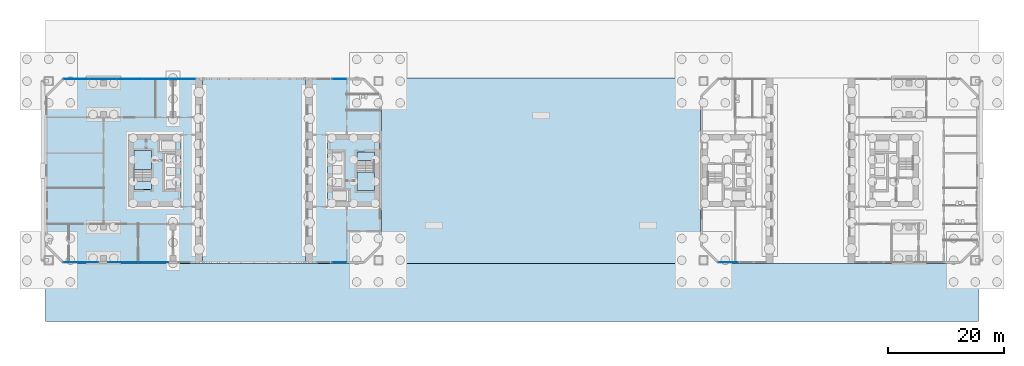
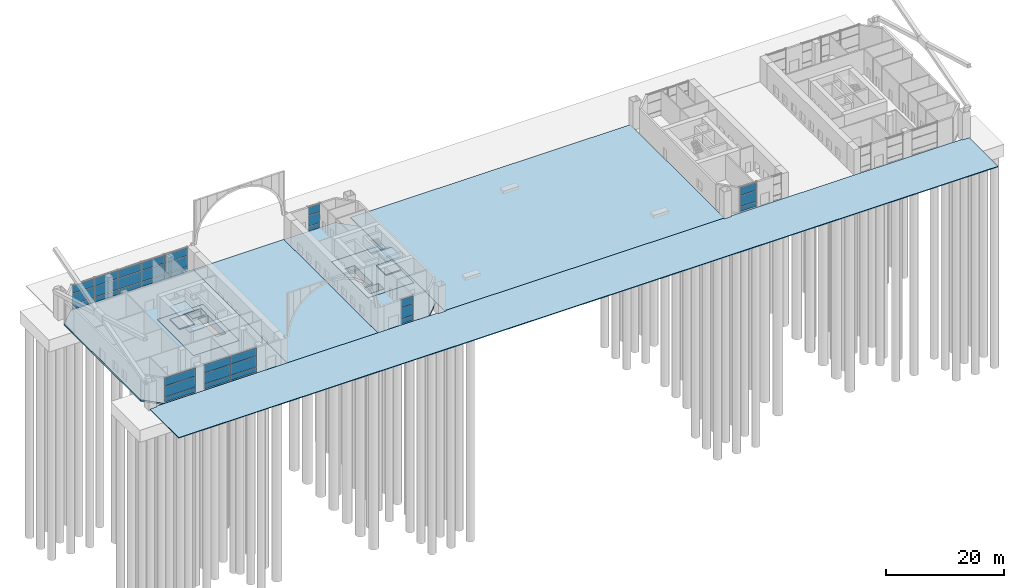
# One storey, part 10 of 26: 33 plates, 13 slabs, 8 elements without a shape of their own.
"""IFC4 building model written with IfcOpenShell, lengths in metres."""

from ifc_helpers import new_model, si_unit, direction, frame, origin, origin_2d, place, context, subcontext, project, spatial, polyline, rectangle, outline, extrude, material, layer, layer_set, type_object, element, aggregate, save


model = new_model("IFC4")

# Units and contexts
model_context = context("Model", 3, precision=1e-05, world=origin(), true_north=direction((0.0, 1.0)))
body_context = subcontext(model_context, "Body", "Model", "MODEL_VIEW")
ifc_project = project(units=[si_unit("LENGTHUNIT", "METRE"), si_unit("AREAUNIT", "SQUARE_METRE"), si_unit("VOLUMEUNIT", "CUBIC_METRE"), si_unit("PLANEANGLEUNIT", "RADIAN"), si_unit("MASSUNIT", "GRAM", prefix="KILO")], contexts=[model_context])

# Site, building, storey
site_placement = place(None, origin())
site = spatial("IfcSite", under=ifc_project, at=site_placement, CompositionType="ELEMENT")
building_placement = place(site_placement, origin())
building = spatial("IfcBuilding", under=site, at=building_placement, Name="Tuart Gate Housing", CompositionType="ELEMENT")
storey_placement = place(building_placement, origin())
storey = spatial("IfcBuildingStorey", under=building, at=storey_placement, Name="L00", CompositionType="ELEMENT", Elevation=0.0)

# Curtain wall, plates
ifc_material_1 = material(Name="Aluminium and clear glass", Category="aluminium")
curtain_wall_type = type_object("IfcCurtainWallType", Name="Ground storey glazing", PredefinedType="USERDEFINED", material=ifc_material_1)
curtain_wall_1_placement = place(storey_placement, origin())
curtain_wall_1 = element("IfcCurtainWall", 1, at=curtain_wall_1_placement, inside=storey, type_object=curtain_wall_type, Name="Ground storey glazing A-S L00", ObjectType="GROUND STOREY GLAZING", PredefinedType="USERDEFINED")
ifc_material_2 = material(Name="Clear glass", Category="glass")
ifc_layer_1 = layer(ifc_material_2, 0.028076171875)
ifc_layer_set_1 = layer_set([ifc_layer_1], Name="Glazed panel 28")
plate_type = type_object("IfcPlateType", Name="Glazed panel 28", PredefinedType="CURTAIN_PANEL", material=ifc_layer_set_1)
plate_1_placement = place(storey_placement, frame((24.13720703125, 54.179931640625, 0.1201171875), z_axis=(0.0, 0.0, 1.0), x_axis=(1.0, 0.0, 0.0)))
plate_1 = element("IfcPlate", 2, at=plate_1_placement, type_object=plate_type, Name="CW2 panel 1.1", PredefinedType="CURTAIN_PANEL", context=body_context, shape_type="SweptSolid", body=[
    extrude(rectangle(XDim=6.00537109375, YDim=0.028076171875, at=origin_2d()), origin(), (0.0, 0.0, 1.0), 0.919921875),
])
plate_2_placement = place(storey_placement, frame((24.13720703125, 54.179931640625, 1.16015625), z_axis=(0.0, 0.0, 1.0), x_axis=(1.0, 0.0, 0.0)))
plate_2 = element("IfcPlate", 3, at=plate_2_placement, type_object=plate_type, Name="CW2 panel 1.2", PredefinedType="CURTAIN_PANEL", context=body_context, shape_type="SweptSolid", body=[
    extrude(rectangle(XDim=6.00537109375, YDim=0.028076171875, at=origin_2d()), origin(), (0.0, 0.0, 1.0), 2.179931640625),
])
plate_3_placement = place(storey_placement, frame((24.13720703125, 54.179931640625, 3.4599609375), z_axis=(0.0, 0.0, 1.0), x_axis=(1.0, 0.0, 0.0)))
plate_3 = element("IfcPlate", 4, at=plate_3_placement, type_object=plate_type, Name="CW2 panel 1.3", PredefinedType="CURTAIN_PANEL", context=body_context, shape_type="SweptSolid", body=[
    extrude(rectangle(XDim=6.00537109375, YDim=0.028076171875, at=origin_2d()), origin(), (0.0, 0.0, 1.0), 1.6201171875),
])
aggregate(curtain_wall_1, [plate_1, plate_2, plate_3])

curtain_wall_2_placement = place(storey_placement, origin())
curtain_wall_2 = element("IfcCurtainWall", 5, at=curtain_wall_2_placement, inside=storey, type_object=curtain_wall_type, Name="Ground storey glazing A-S L00", ObjectType="GROUND STOREY GLAZING", PredefinedType="USERDEFINED")
plate_4_placement = place(storey_placement, frame((31.4150390625, 54.179931640625, 0.1201171875), z_axis=(0.0, 0.0, 1.0), x_axis=(1.0, 0.0, 0.0)))
plate_4 = element("IfcPlate", 6, at=plate_4_placement, type_object=plate_type, Name="CW2 panel 1.1", PredefinedType="CURTAIN_PANEL", context=body_context, shape_type="SweptSolid", body=[
    extrude(rectangle(XDim=5.110107421875, YDim=0.028076171875, at=origin_2d()), origin(), (0.0, 0.0, 1.0), 0.919921875),
])
plate_5_placement = place(storey_placement, frame((31.4150390625, 54.179931640625, 1.16015625), z_axis=(0.0, 0.0, 1.0), x_axis=(1.0, 0.0, 0.0)))
plate_5 = element("IfcPlate", 7, at=plate_5_placement, type_object=plate_type, Name="CW2 panel 1.2", PredefinedType="CURTAIN_PANEL", context=body_context, shape_type="SweptSolid", body=[
    extrude(rectangle(XDim=5.110107421875, YDim=0.028076171875, at=origin_2d()), origin(), (0.0, 0.0, 1.0), 2.179931640625),
])
plate_6_placement = place(storey_placement, frame((31.4150390625, 54.179931640625, 3.4599609375), z_axis=(0.0, 0.0, 1.0), x_axis=(1.0, 0.0, 0.0)))
plate_6 = element("IfcPlate", 8, at=plate_6_placement, type_object=plate_type, Name="CW2 panel 1.3", PredefinedType="CURTAIN_PANEL", context=body_context, shape_type="SweptSolid", body=[
    extrude(rectangle(XDim=5.110107421875, YDim=0.028076171875, at=origin_2d()), origin(), (0.0, 0.0, 1.0), 1.6201171875),
])
plate_7_placement = place(storey_placement, frame((36.5849609375, 54.179931640625, 0.1201171875), z_axis=(0.0, 0.0, 1.0), x_axis=(1.0, 0.0, 0.0)))
plate_7 = element("IfcPlate", 9, at=plate_7_placement, type_object=plate_type, Name="CW2 panel 2.1", PredefinedType="CURTAIN_PANEL", context=body_context, shape_type="SweptSolid", body=[
    extrude(rectangle(XDim=5.110107421875, YDim=0.028076171875, at=origin_2d()), origin(), (0.0, 0.0, 1.0), 0.919921875),
])
plate_8_placement = place(storey_placement, frame((36.5849609375, 54.179931640625, 1.16015625), z_axis=(0.0, 0.0, 1.0), x_axis=(1.0, 0.0, 0.0)))
plate_8 = element("IfcPlate", 10, at=plate_8_placement, type_object=plate_type, Name="CW2 panel 2.2", PredefinedType="CURTAIN_PANEL", context=body_context, shape_type="SweptSolid", body=[
    extrude(rectangle(XDim=5.110107421875, YDim=0.028076171875, at=origin_2d()), origin(), (0.0, 0.0, 1.0), 2.179931640625),
])
plate_9_placement = place(storey_placement, frame((36.5849609375, 54.179931640625, 3.4599609375), z_axis=(0.0, 0.0, 1.0), x_axis=(1.0, 0.0, 0.0)))
plate_9 = element("IfcPlate", 11, at=plate_9_placement, type_object=plate_type, Name="CW2 panel 2.3", PredefinedType="CURTAIN_PANEL", context=body_context, shape_type="SweptSolid", body=[
    extrude(rectangle(XDim=5.110107421875, YDim=0.028076171875, at=origin_2d()), origin(), (0.0, 0.0, 1.0), 1.6201171875),
])
aggregate(curtain_wall_2, [plate_4, plate_5, plate_6, plate_7, plate_8, plate_9])

curtain_wall_3_placement = place(storey_placement, origin())
curtain_wall_3 = element("IfcCurtainWall", 12, at=curtain_wall_3_placement, inside=storey, type_object=curtain_wall_type, Name="Ground storey glazing A-S L00", ObjectType="GROUND STOREY GLAZING", PredefinedType="USERDEFINED")
plate_10_placement = place(storey_placement, frame((68.75, 54.179931640625, 0.1201171875), z_axis=(0.0, 0.0, 1.0), x_axis=(1.0, 0.0, 0.0)))
plate_10 = element("IfcPlate", 13, at=plate_10_placement, type_object=plate_type, Name="CW2 panel 1.1", PredefinedType="CURTAIN_PANEL", context=body_context, shape_type="SweptSolid", body=[
    extrude(rectangle(XDim=2.3798828125, YDim=0.028076171875, at=origin_2d()), origin(), (0.0, 0.0, 1.0), 0.919921875),
])
plate_11_placement = place(storey_placement, frame((68.75, 54.179931640625, 1.16015625), z_axis=(0.0, 0.0, 1.0), x_axis=(1.0, 0.0, 0.0)))
plate_11 = element("IfcPlate", 14, at=plate_11_placement, type_object=plate_type, Name="CW2 panel 1.2", PredefinedType="CURTAIN_PANEL", context=body_context, shape_type="SweptSolid", body=[
    extrude(rectangle(XDim=2.3798828125, YDim=0.028076171875, at=origin_2d()), origin(), (0.0, 0.0, 1.0), 2.179931640625),
])
plate_12_placement = place(storey_placement, frame((68.75, 54.179931640625, 3.4599609375), z_axis=(0.0, 0.0, 1.0), x_axis=(1.0, 0.0, 0.0)))
plate_12 = element("IfcPlate", 15, at=plate_12_placement, type_object=plate_type, Name="CW2 panel 1.3", PredefinedType="CURTAIN_PANEL", context=body_context, shape_type="SweptSolid", body=[
    extrude(rectangle(XDim=2.3798828125, YDim=0.028076171875, at=origin_2d()), origin(), (0.0, 0.0, 1.0), 1.6201171875),
])
aggregate(curtain_wall_3, [plate_10, plate_11, plate_12])

curtain_wall_4_placement = place(storey_placement, origin())
curtain_wall_4 = element("IfcCurtainWall", 16, at=curtain_wall_4_placement, inside=storey, type_object=curtain_wall_type, Name="Ground storey glazing A-N L00", ObjectType="GROUND STOREY GLAZING", PredefinedType="USERDEFINED")
plate_13_placement = place(storey_placement, frame((68.75, 85.820068359375, 0.1201171875), z_axis=(0.0, 0.0, 1.0), x_axis=(-1.0, 0.0, 0.0)))
plate_13 = element("IfcPlate", 17, at=plate_13_placement, type_object=plate_type, Name="CW2 panel 1.1", PredefinedType="CURTAIN_PANEL", context=body_context, shape_type="SweptSolid", body=[
    extrude(rectangle(XDim=2.3798828125, YDim=0.028076171875, at=origin_2d()), origin(), (0.0, 0.0, 1.0), 0.919921875),
])
plate_14_placement = place(storey_placement, frame((68.75, 85.820068359375, 1.16015625), z_axis=(0.0, 0.0, 1.0), x_axis=(-1.0, 0.0, 0.0)))
plate_14 = element("IfcPlate", 18, at=plate_14_placement, type_object=plate_type, Name="CW2 panel 1.2", PredefinedType="CURTAIN_PANEL", context=body_context, shape_type="SweptSolid", body=[
    extrude(rectangle(XDim=2.3798828125, YDim=0.028076171875, at=origin_2d()), origin(), (0.0, 0.0, 1.0), 2.179931640625),
])
plate_15_placement = place(storey_placement, frame((68.75, 85.820068359375, 3.4599609375), z_axis=(0.0, 0.0, 1.0), x_axis=(-1.0, 0.0, 0.0)))
plate_15 = element("IfcPlate", 19, at=plate_15_placement, type_object=plate_type, Name="CW2 panel 1.3", PredefinedType="CURTAIN_PANEL", context=body_context, shape_type="SweptSolid", body=[
    extrude(rectangle(XDim=2.3798828125, YDim=0.028076171875, at=origin_2d()), origin(), (0.0, 0.0, 1.0), 1.6201171875),
])
aggregate(curtain_wall_4, [plate_13, plate_14, plate_15])

curtain_wall_5_placement = place(storey_placement, origin())
curtain_wall_5 = element("IfcCurtainWall", 20, at=curtain_wall_5_placement, inside=storey, type_object=curtain_wall_type, Name="Ground storey glazing A-N L00", ObjectType="GROUND STOREY GLAZING", PredefinedType="USERDEFINED")
plate_16_placement = place(storey_placement, frame((41.6025390625, 85.820068359375, 0.1201171875), z_axis=(0.0, 0.0, 1.0), x_axis=(-1.0, 0.0, 0.0)))
plate_16 = element("IfcPlate", 21, at=plate_16_placement, type_object=plate_type, Name="CW2 panel 1.1", PredefinedType="CURTAIN_PANEL", context=body_context, shape_type="SweptSolid", body=[
    extrude(rectangle(XDim=4.47509765625, YDim=0.028076171875, at=origin_2d()), origin(), (0.0, 0.0, 1.0), 0.919921875),
])
plate_17_placement = place(storey_placement, frame((41.6025390625, 85.820068359375, 1.16015625), z_axis=(0.0, 0.0, 1.0), x_axis=(-1.0, 0.0, 0.0)))
plate_17 = element("IfcPlate", 22, at=plate_17_placement, type_object=plate_type, Name="CW2 panel 1.2", PredefinedType="CURTAIN_PANEL", context=body_context, shape_type="SweptSolid", body=[
    extrude(rectangle(XDim=4.47509765625, YDim=0.028076171875, at=origin_2d()), origin(), (0.0, 0.0, 1.0), 2.179931640625),
])
plate_18_placement = place(storey_placement, frame((41.6025390625, 85.820068359375, 3.4599609375), z_axis=(0.0, 0.0, 1.0), x_axis=(-1.0, 0.0, 0.0)))
plate_18 = element("IfcPlate", 23, at=plate_18_placement, type_object=plate_type, Name="CW2 panel 1.3", PredefinedType="CURTAIN_PANEL", context=body_context, shape_type="SweptSolid", body=[
    extrude(rectangle(XDim=4.47509765625, YDim=0.028076171875, at=origin_2d()), origin(), (0.0, 0.0, 1.0), 1.6201171875),
])
plate_19_placement = place(storey_placement, frame((37.05224609375, 85.820068359375, 0.1201171875), z_axis=(0.0, 0.0, 1.0), x_axis=(-1.0, 0.0, 0.0)))
plate_19 = element("IfcPlate", 24, at=plate_19_placement, type_object=plate_type, Name="CW2 panel 2.1", PredefinedType="CURTAIN_PANEL", context=body_context, shape_type="SweptSolid", body=[
    extrude(rectangle(XDim=4.505126953125, YDim=0.028076171875, at=origin_2d()), origin(), (0.0, 0.0, 1.0), 0.919921875),
])
plate_20_placement = place(storey_placement, frame((37.05224609375, 85.820068359375, 1.16015625), z_axis=(0.0, 0.0, 1.0), x_axis=(-1.0, 0.0, 0.0)))
plate_20 = element("IfcPlate", 25, at=plate_20_placement, type_object=plate_type, Name="CW2 panel 2.2", PredefinedType="CURTAIN_PANEL", context=body_context, shape_type="SweptSolid", body=[
    extrude(rectangle(XDim=4.505126953125, YDim=0.028076171875, at=origin_2d()), origin(), (0.0, 0.0, 1.0), 2.179931640625),
])
plate_21_placement = place(storey_placement, frame((37.05224609375, 85.820068359375, 3.4599609375), z_axis=(0.0, 0.0, 1.0), x_axis=(-1.0, 0.0, 0.0)))
plate_21 = element("IfcPlate", 26, at=plate_21_placement, type_object=plate_type, Name="CW2 panel 2.3", PredefinedType="CURTAIN_PANEL", context=body_context, shape_type="SweptSolid", body=[
    extrude(rectangle(XDim=4.505126953125, YDim=0.028076171875, at=origin_2d()), origin(), (0.0, 0.0, 1.0), 1.6201171875),
])
plate_22_placement = place(storey_placement, frame((32.4873046875, 85.820068359375, 0.1201171875), z_axis=(0.0, 0.0, 1.0), x_axis=(-1.0, 0.0, 0.0)))
plate_22 = element("IfcPlate", 27, at=plate_22_placement, type_object=plate_type, Name="CW2 panel 3.1", PredefinedType="CURTAIN_PANEL", context=body_context, shape_type="SweptSolid", body=[
    extrude(rectangle(XDim=4.505126953125, YDim=0.028076171875, at=origin_2d()), origin(), (0.0, 0.0, 1.0), 0.919921875),
])
plate_23_placement = place(storey_placement, frame((32.4873046875, 85.820068359375, 1.16015625), z_axis=(0.0, 0.0, 1.0), x_axis=(-1.0, 0.0, 0.0)))
plate_23 = element("IfcPlate", 28, at=plate_23_placement, type_object=plate_type, Name="CW2 panel 3.2", PredefinedType="CURTAIN_PANEL", context=body_context, shape_type="SweptSolid", body=[
    extrude(rectangle(XDim=4.505126953125, YDim=0.028076171875, at=origin_2d()), origin(), (0.0, 0.0, 1.0), 2.179931640625),
])
plate_24_placement = place(storey_placement, frame((32.4873046875, 85.820068359375, 3.4599609375), z_axis=(0.0, 0.0, 1.0), x_axis=(-1.0, 0.0, 0.0)))
plate_24 = element("IfcPlate", 29, at=plate_24_placement, type_object=plate_type, Name="CW2 panel 3.3", PredefinedType="CURTAIN_PANEL", context=body_context, shape_type="SweptSolid", body=[
    extrude(rectangle(XDim=4.505126953125, YDim=0.028076171875, at=origin_2d()), origin(), (0.0, 0.0, 1.0), 1.6201171875),
])
plate_25_placement = place(storey_placement, frame((27.922119140625, 85.820068359375, 0.1201171875), z_axis=(0.0, 0.0, 1.0), x_axis=(-1.0, 0.0, 0.0)))
plate_25 = element("IfcPlate", 30, at=plate_25_placement, type_object=plate_type, Name="CW2 panel 4.1", PredefinedType="CURTAIN_PANEL", context=body_context, shape_type="SweptSolid", body=[
    extrude(rectangle(XDim=4.505126953125, YDim=0.028076171875, at=origin_2d()), origin(), (0.0, 0.0, 1.0), 0.919921875),
])
plate_26_placement = place(storey_placement, frame((27.922119140625, 85.820068359375, 1.16015625), z_axis=(0.0, 0.0, 1.0), x_axis=(-1.0, 0.0, 0.0)))
plate_26 = element("IfcPlate", 31, at=plate_26_placement, type_object=plate_type, Name="CW2 panel 4.2", PredefinedType="CURTAIN_PANEL", context=body_context, shape_type="SweptSolid", body=[
    extrude(rectangle(XDim=4.505126953125, YDim=0.028076171875, at=origin_2d()), origin(), (0.0, 0.0, 1.0), 2.179931640625),
])
plate_27_placement = place(storey_placement, frame((27.922119140625, 85.820068359375, 3.4599609375), z_axis=(0.0, 0.0, 1.0), x_axis=(-1.0, 0.0, 0.0)))
plate_27 = element("IfcPlate", 32, at=plate_27_placement, type_object=plate_type, Name="CW2 panel 4.3", PredefinedType="CURTAIN_PANEL", context=body_context, shape_type="SweptSolid", body=[
    extrude(rectangle(XDim=4.505126953125, YDim=0.028076171875, at=origin_2d()), origin(), (0.0, 0.0, 1.0), 1.6201171875),
])
plate_28_placement = place(storey_placement, frame((23.3720703125, 85.820068359375, 0.1201171875), z_axis=(0.0, 0.0, 1.0), x_axis=(-1.0, 0.0, 0.0)))
plate_28 = element("IfcPlate", 33, at=plate_28_placement, type_object=plate_type, Name="CW2 panel 5.1", PredefinedType="CURTAIN_PANEL", context=body_context, shape_type="SweptSolid", body=[
    extrude(rectangle(XDim=4.47509765625, YDim=0.028076171875, at=origin_2d()), origin(), (0.0, 0.0, 1.0), 0.919921875),
])
plate_29_placement = place(storey_placement, frame((23.3720703125, 85.820068359375, 1.16015625), z_axis=(0.0, 0.0, 1.0), x_axis=(-1.0, 0.0, 0.0)))
plate_29 = element("IfcPlate", 34, at=plate_29_placement, type_object=plate_type, Name="CW2 panel 5.2", PredefinedType="CURTAIN_PANEL", context=body_context, shape_type="SweptSolid", body=[
    extrude(rectangle(XDim=4.47509765625, YDim=0.028076171875, at=origin_2d()), origin(), (0.0, 0.0, 1.0), 2.179931640625),
])
plate_30_placement = place(storey_placement, frame((23.3720703125, 85.820068359375, 3.4599609375), z_axis=(0.0, 0.0, 1.0), x_axis=(-1.0, 0.0, 0.0)))
plate_30 = element("IfcPlate", 35, at=plate_30_placement, type_object=plate_type, Name="CW2 panel 5.3", PredefinedType="CURTAIN_PANEL", context=body_context, shape_type="SweptSolid", body=[
    extrude(rectangle(XDim=4.47509765625, YDim=0.028076171875, at=origin_2d()), origin(), (0.0, 0.0, 1.0), 1.6201171875),
])
aggregate(curtain_wall_5, [plate_16, plate_17, plate_18, plate_19, plate_20, plate_21, plate_22, plate_23, plate_24, plate_25, plate_26, plate_27, plate_28, plate_29, plate_30])

curtain_wall_6_placement = place(storey_placement, origin())
curtain_wall_6 = element("IfcCurtainWall", 36, at=curtain_wall_6_placement, inside=storey, type_object=curtain_wall_type, Name="Ground storey glazing B-S L00", ObjectType="GROUND STOREY GLAZING", PredefinedType="USERDEFINED")
plate_31_placement = place(storey_placement, frame((135.787353515625, 54.179931640625, 0.1201171875), z_axis=(0.0, 0.0, 1.0), x_axis=(1.0, 0.0, 0.0)))
plate_31 = element("IfcPlate", 37, at=plate_31_placement, type_object=plate_type, Name="CW2 panel 1.1", PredefinedType="CURTAIN_PANEL", context=body_context, shape_type="SweptSolid", body=[
    extrude(rectangle(XDim=3.305419921875, YDim=0.028076171875, at=origin_2d()), origin(), (0.0, 0.0, 1.0), 0.919921875),
])
plate_32_placement = place(storey_placement, frame((135.787353515625, 54.179931640625, 1.16015625), z_axis=(0.0, 0.0, 1.0), x_axis=(1.0, 0.0, 0.0)))
plate_32 = element("IfcPlate", 38, at=plate_32_placement, type_object=plate_type, Name="CW2 panel 1.2", PredefinedType="CURTAIN_PANEL", context=body_context, shape_type="SweptSolid", body=[
    extrude(rectangle(XDim=3.305419921875, YDim=0.028076171875, at=origin_2d()), origin(), (0.0, 0.0, 1.0), 2.179931640625),
])
plate_33_placement = place(storey_placement, frame((135.787353515625, 54.179931640625, 3.4599609375), z_axis=(0.0, 0.0, 1.0), x_axis=(1.0, 0.0, 0.0)))
plate_33 = element("IfcPlate", 39, at=plate_33_placement, type_object=plate_type, Name="CW2 panel 1.3", PredefinedType="CURTAIN_PANEL", context=body_context, shape_type="SweptSolid", body=[
    extrude(rectangle(XDim=3.305419921875, YDim=0.028076171875, at=origin_2d()), origin(), (0.0, 0.0, 1.0), 1.6201171875),
])
aggregate(curtain_wall_6, [plate_31, plate_32, plate_33])

# Slabs
ifc_material_3 = material(Name="Concrete C40", Category="concrete")
ifc_layer_2 = layer(ifc_material_3, 1.60009765625)
ifc_layer_set_2 = layer_set([ifc_layer_2], Name="Ground slab 1600")
slab_type_1 = type_object("IfcSlabType", Name="Ground slab 1600", PredefinedType="BASESLAB", material=ifc_layer_set_2)
slab_1_placement = place(storey_placement, frame((0.0, 0.0, -1.60009765625)))
element("IfcSlab", 40, at=slab_1_placement, inside=storey, type_object=slab_type_1, Name="Core ground slab AG", PredefinedType="BASESLAB", context=body_context, shape_type="SweptSolid", body=[
    extrude(outline(polyline([(66.639892578125, 76.199951171875), (66.639892578125, 63.800048828125), (75.639892578125, 63.800048828125), (75.639892578125, 76.199951171875), (66.639892578125, 76.199951171875)]), holes=[polyline([(67.5400390625, 66.64990234375), (70.31005859375, 66.64990234375), (70.31005859375, 64.699951171875), (67.5400390625, 64.699951171875), (67.5400390625, 66.64990234375)]), polyline([(69.489990234375, 73.25), (69.489990234375, 67.050048828125), (67.5400390625, 67.050048828125), (67.5400390625, 73.25), (69.489990234375, 73.25)])]), origin(), (0.0, 0.0, 1.0), 1.60009765625),
])
slab_2_placement = place(storey_placement, frame((0.0, 0.0, -1.60009765625)))
element("IfcSlab", 41, at=slab_2_placement, inside=storey, type_object=slab_type_1, Name="Core ground slab AK", PredefinedType="BASESLAB", context=body_context, shape_type="SweptSolid", body=[
    extrude(outline(polyline([(32.360107421875, 76.199951171875), (32.360107421875, 63.800048828125), (41.360107421875, 63.800048828125), (41.360107421875, 76.199951171875), (32.360107421875, 76.199951171875)]), holes=[polyline([(37.68994140625, 75.300048828125), (40.4599609375, 75.300048828125), (40.4599609375, 73.35009765625), (37.68994140625, 73.35009765625), (37.68994140625, 75.300048828125)]), polyline([(40.4599609375, 72.949951171875), (40.4599609375, 66.75), (38.510009765625, 66.75), (38.510009765625, 72.949951171875), (40.4599609375, 72.949951171875)])]), origin(), (0.0, 0.0, 1.0), 1.60009765625),
])
ifc_material_4 = material(Name="Concrete C40", Category="concrete")
ifc_layer_3 = layer(ifc_material_4, 0.35009765625)
ifc_layer_set_3 = layer_set([ifc_layer_3], Name="Ground slab 350")
slab_type_2 = type_object("IfcSlabType", Name="Ground slab 350", PredefinedType="BASESLAB", material=ifc_layer_set_3)
slab_3_placement = place(storey_placement, frame((0.0, 0.0, -0.35009765625)))
element("IfcSlab", 42, at=slab_3_placement, inside=storey, type_object=slab_type_2, Name="Ground slab A part 1 L00", PredefinedType="BASESLAB", context=body_context, shape_type="SweptSolid", body=[
    extrude(outline(polyline([(45.10009765625, 86.0), (21.0, 86.0), (18.0, 83.0), (18.0, 57.0), (21.0, 54.0), (45.10009765625, 54.0), (45.10009765625, 86.0)]), holes=[polyline([(32.360107421875, 63.800048828125), (32.360107421875, 76.199951171875), (41.360107421875, 76.199951171875), (41.360107421875, 63.800048828125), (32.360107421875, 63.800048828125)])]), origin(), (0.0, 0.0, 1.0), 0.35009765625),
])
slab_4_placement = place(storey_placement, frame((0.0, 0.0, -0.35009765625)))
element("IfcSlab", 43, at=slab_4_placement, inside=storey, type_object=slab_type_2, Name="Ground slab A part 2 L00", PredefinedType="BASESLAB", context=body_context, shape_type="SweptSolid", body=[
    extrude(outline(polyline([(62.89990234375, 54.0), (73.0, 54.0), (76.0, 57.0), (76.0, 83.0), (73.0, 86.0), (62.89990234375, 86.0), (62.89990234375, 54.0)]), holes=[polyline([(75.639892578125, 63.800048828125), (66.639892578125, 63.800048828125), (66.639892578125, 76.199951171875), (75.639892578125, 76.199951171875), (75.639892578125, 63.800048828125)])]), origin(), (0.0, 0.0, 1.0), 0.35009765625),
])
ifc_material_5 = material(Name="Brick paving", Category="masonry")
ifc_layer_4 = layer(ifc_material_5, 0.14990234375)
ifc_layer_set_4 = layer_set([ifc_layer_4], Name="Paving slab 150")
slab_type_3 = type_object("IfcSlabType", Name="Paving slab 150", PredefinedType="USERDEFINED", material=ifc_layer_set_4)
slab_5_placement = place(storey_placement, frame((0.0, 0.0, -0.14990234375)))
element("IfcSlab", 44, at=slab_5_placement, inside=storey, type_object=slab_type_3, Name="Paving plaza", ObjectType="PAVING", PredefinedType="USERDEFINED", context=body_context, shape_type="SweptSolid", body=[
    extrude(outline(polyline([(76.0, 54.0), (131.0, 54.0), (131.0, 86.0), (76.0, 86.0), (76.0, 54.0)])), origin(), (0.0, 0.0, 1.0), 0.14990234375),
])
slab_6_placement = place(storey_placement, frame((0.0, 0.0, -0.14990234375)))
element("IfcSlab", 45, at=slab_6_placement, inside=storey, type_object=slab_type_3, Name="Paving passage-A", ObjectType="PAVING", PredefinedType="USERDEFINED", context=body_context, shape_type="SweptSolid", body=[
    extrude(outline(polyline([(45.10009765625, 54.0), (62.89990234375, 54.0), (62.89990234375, 86.0), (45.10009765625, 86.0), (45.10009765625, 54.0)])), origin(), (0.0, 0.0, 1.0), 0.14990234375),
])
slab_7_placement = place(storey_placement, frame((0.0, 0.0, -0.14990234375)))
element("IfcSlab", 46, at=slab_7_placement, inside=storey, type_object=slab_type_3, Name="Paving apron-south", ObjectType="PAVING", PredefinedType="USERDEFINED", context=body_context, shape_type="SweptSolid", body=[
    extrude(outline(polyline([(179.0, 44.0), (179.0, 53.800048828125), (177.699951171875, 53.800048828125), (177.699951171875, 54.0), (132.300048828125, 54.0), (132.300048828125, 53.800048828125), (130.800048828125, 53.800048828125), (130.800048828125, 54.0), (76.199951171875, 54.0), (76.199951171875, 53.800048828125), (74.699951171875, 53.800048828125), (74.699951171875, 54.0), (19.300048828125, 54.0), (19.300048828125, 53.800048828125), (18.0, 53.800048828125), (18.0, 44.0), (179.0, 44.0)])), origin(), (0.0, 0.0, 1.0), 0.14990234375),
])

# Stair, slabs
ifc_material_6 = material(Name="Concrete C40", Category="concrete")
stair_type = type_object("IfcStairType", Name="Core stair 1500", PredefinedType="HALF_TURN_STAIR", material=ifc_material_6)
stair_1_placement = place(storey_placement, origin())
stair_1 = element("IfcStair", 47, at=stair_1_placement, inside=storey, type_object=stair_type, Name="Stair SA1", PredefinedType="HALF_TURN_STAIR")
ifc_material_7 = material(Name="Concrete C40", Category="concrete")
ifc_layer_5 = layer(ifc_material_7, 0.199951171875)
ifc_layer_set_5 = layer_set([ifc_layer_5], Name="Stair landing 200")
slab_type_4 = type_object("IfcSlabType", Name="Stair landing 200", PredefinedType="LANDING", material=ifc_layer_set_5)
slab_8_placement = place(storey_placement, frame((0.0, 0.0, 1.175048828125)))
slab_8 = element("IfcSlab", 48, at=slab_8_placement, type_object=slab_type_4, Name="SA1 landing 1", PredefinedType="LANDING", context=body_context, shape_type="SweptSolid", body=[
    extrude(outline(polyline([(71.739990234375, 66.550048828125), (74.739990234375, 66.550048828125), (74.739990234375, 69.7900390625), (71.739990234375, 69.7900390625), (71.739990234375, 66.550048828125)])), origin(), (0.0, 0.0, 1.0), 0.199951171875),
])
slab_9_placement = place(storey_placement, frame((0.0, 0.0, 2.550048828125)))
slab_9 = element("IfcSlab", 49, at=slab_9_placement, type_object=slab_type_4, Name="SA1 landing 2", PredefinedType="LANDING", context=body_context, shape_type="SweptSolid", body=[
    extrude(outline(polyline([(71.739990234375, 73.25), (71.739990234375, 71.75), (74.739990234375, 71.75), (74.739990234375, 73.25), (71.739990234375, 73.25)])), origin(), (0.0, 0.0, 1.0), 0.199951171875),
])
slab_10_placement = place(storey_placement, frame((0.0, 0.0, 3.925048828125)))
slab_10 = element("IfcSlab", 50, at=slab_10_placement, type_object=slab_type_4, Name="SA1 landing 3", PredefinedType="LANDING", context=body_context, shape_type="SweptSolid", body=[
    extrude(outline(polyline([(71.739990234375, 66.550048828125), (74.739990234375, 66.550048828125), (74.739990234375, 69.7900390625), (71.739990234375, 69.7900390625), (71.739990234375, 66.550048828125)])), origin(), (0.0, 0.0, 1.0), 0.199951171875),
])
aggregate(stair_1, [slab_8, slab_9, slab_10])

stair_2_placement = place(storey_placement, origin())
stair_2 = element("IfcStair", 51, at=stair_2_placement, inside=storey, type_object=stair_type, Name="Stair SA2", PredefinedType="HALF_TURN_STAIR")
slab_11_placement = place(storey_placement, frame((0.0, 0.0, 1.175048828125)))
slab_11 = element("IfcSlab", 52, at=slab_11_placement, type_object=slab_type_4, Name="SA2 landing 1", PredefinedType="LANDING", context=body_context, shape_type="SweptSolid", body=[
    extrude(outline(polyline([(36.260009765625, 73.449951171875), (33.260009765625, 73.449951171875), (33.260009765625, 70.2099609375), (36.260009765625, 70.2099609375), (36.260009765625, 73.449951171875)])), origin(), (0.0, 0.0, 1.0), 0.199951171875),
])
slab_12_placement = place(storey_placement, frame((0.0, 0.0, 2.550048828125)))
slab_12 = element("IfcSlab", 53, at=slab_12_placement, type_object=slab_type_4, Name="SA2 landing 2", PredefinedType="LANDING", context=body_context, shape_type="SweptSolid", body=[
    extrude(outline(polyline([(36.260009765625, 66.75), (36.260009765625, 68.25), (33.260009765625, 68.25), (33.260009765625, 66.75), (36.260009765625, 66.75)])), origin(), (0.0, 0.0, 1.0), 0.199951171875),
])
slab_13_placement = place(storey_placement, frame((0.0, 0.0, 3.925048828125)))
slab_13 = element("IfcSlab", 54, at=slab_13_placement, type_object=slab_type_4, Name="SA2 landing 3", PredefinedType="LANDING", context=body_context, shape_type="SweptSolid", body=[
    extrude(outline(polyline([(36.260009765625, 73.449951171875), (33.260009765625, 73.449951171875), (33.260009765625, 70.2099609375), (36.260009765625, 70.2099609375), (36.260009765625, 73.449951171875)])), origin(), (0.0, 0.0, 1.0), 0.199951171875),
])
aggregate(stair_2, [slab_11, slab_12, slab_13])

save(model, "model.ifc")
